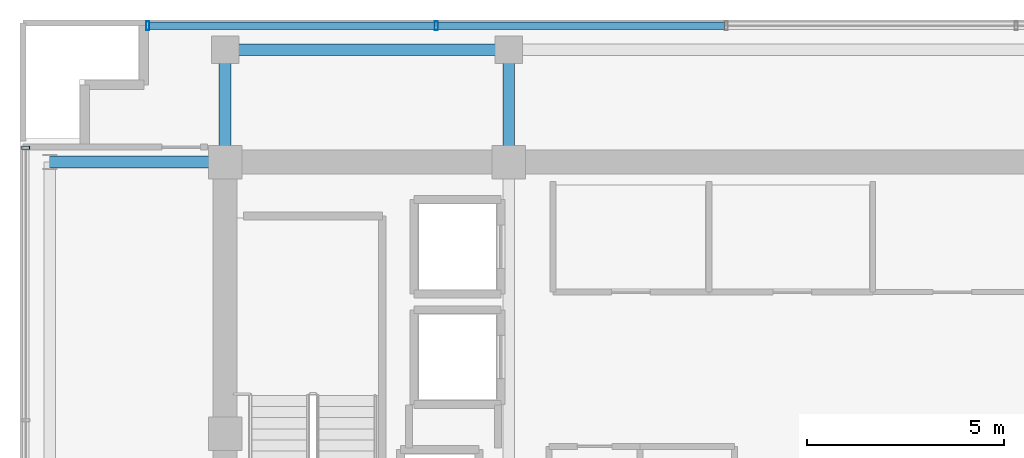
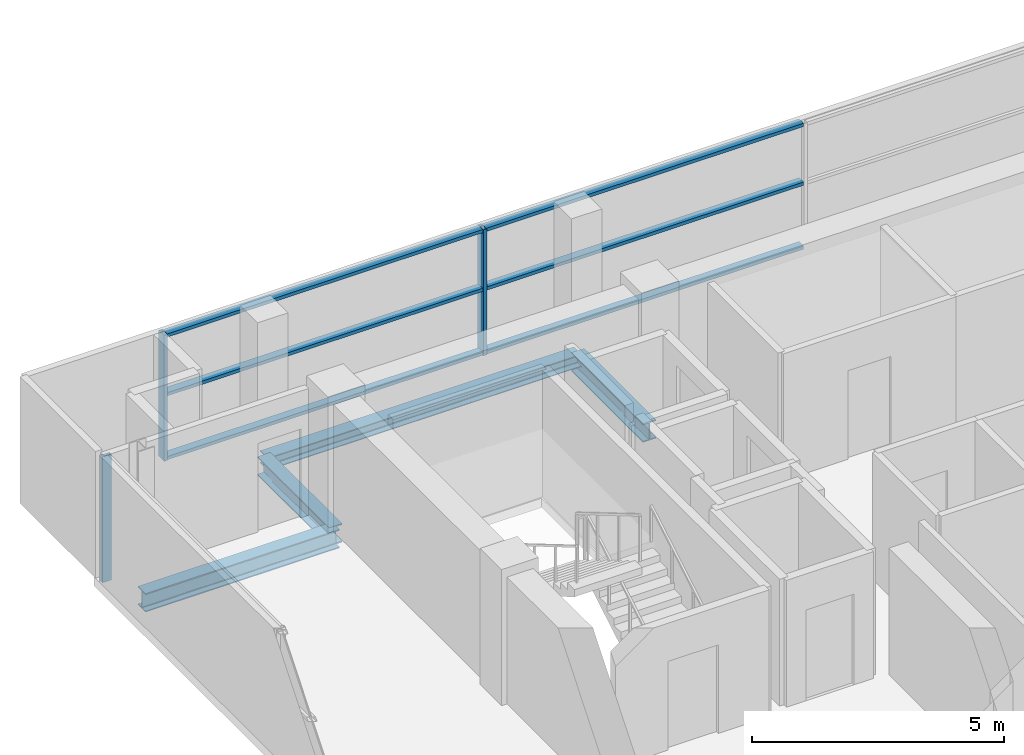
# One storey, part 10 of 22: 9 members, 4 beams, 2 elements without a shape of their own.
"""IFC4 building model written with IfcOpenShell, lengths in metres."""

from ifc_helpers import new_model, si_unit, direction, frame, origin, origin_2d, place, context, subcontext, project, spatial, hollow_rectangle, i_section, extrude, source, transform, mapped, material, layer, layer_set, material_profile, profile_set, type_object, element, aggregate, save


model = new_model("IFC4")

# Units and contexts
model_context = context("Model", 3, precision=1e-05, world=origin(), true_north=direction((0.0, 1.0)))
body_context = subcontext(model_context, "Body", "Model", "MODEL_VIEW")
ifc_project = project(units=[si_unit("LENGTHUNIT", "METRE"), si_unit("AREAUNIT", "SQUARE_METRE"), si_unit("VOLUMEUNIT", "CUBIC_METRE"), si_unit("PLANEANGLEUNIT", "RADIAN"), si_unit("MASSUNIT", "GRAM", prefix="KILO")], contexts=[model_context])

# Site, building, storey
site_placement = place(None, origin())
site = spatial("IfcSite", under=ifc_project, at=site_placement, CompositionType="ELEMENT")
building_placement = place(site_placement, origin())
building = spatial("IfcBuilding", under=site, at=building_placement, Name="Zarnakvel Exchange Tower", CompositionType="ELEMENT")
storey_placement = place(building_placement, frame((0.0, 0.0, 245.199951171875)))
storey = spatial("IfcBuildingStorey", under=building, at=storey_placement, Name="L69", CompositionType="ELEMENT", Elevation=245.199951171875)

# Beams
ifc_material_1 = material(Name="Steel S355", Category="steel")
ifc_material_profile_1 = material_profile(ifc_material_1, i_section(OverallWidth=0.300048828125, OverallDepth=0.449951171875, WebThickness=0.013916015625, FlangeThickness=0.02587890625, FilletRadius=0.027099609375, at=origin_2d()))
ifc_profile_set_1 = profile_set([ifc_material_profile_1], Name="Steel S355")
beam_type_1 = type_object("IfcBeamType", Name="G-07", PredefinedType="BEAM", material=ifc_profile_set_1)
beam_1_placement = place(storey_placement, frame((-18.85009765625, 13.5, -0.449951171875), z_axis=(1.0, 0.0, 0.0), x_axis=(0.0, 1.0, 0.0)))
element("IfcBeam", 1, at=beam_1_placement, inside=storey, type_object=beam_type_1, Name="L69 Tower E-W Frame Beam", PredefinedType="BEAM", context=body_context, shape_type="SweptSolid", body=[
    extrude(i_section(OverallWidth=0.300048828125, OverallDepth=0.449951171875, WebThickness=0.013916015625, FlangeThickness=0.02587890625, FilletRadius=0.027099609375, at=origin_2d()), origin(), (0.0, 0.0, 1.0), 4.4501953125),
])
for number, where, z_axis, x_axis, name in (
    (2, (-14.39990234375, 13.5, -0.449951171875), (0.0, 1.0, 0.0), (-1.0, 0.0, 0.0), "L69 Tower N-S Frame Beam"),
    (3, (-7.199951171875, 13.5, -0.449951171875), (0.0, 1.0, 0.0), (-1.0, 0.0, 0.0), "L69 Tower N-S Frame Beam"),
):
    element("IfcBeam", number, at=place(storey_placement, frame(where, z_axis=z_axis, x_axis=x_axis)), inside=storey, type_object=beam_type_1, Name=name, PredefinedType="BEAM", context=body_context, shape_type="SweptSolid", body=[
        extrude(i_section(OverallWidth=0.300048828125, OverallDepth=0.449951171875, WebThickness=0.013916015625, FlangeThickness=0.02587890625, FilletRadius=0.027099609375, at=origin_2d()), origin(), (0.0, 0.0, 1.0), 2.85009765625),
    ])
ifc_material_profile_2 = material_profile(ifc_material_1, i_section(OverallWidth=0.300048828125, OverallDepth=0.300048828125, WebThickness=0.010986328125, FlangeThickness=0.01904296875, FilletRadius=0.027099609375, at=origin_2d()))
ifc_profile_set_2 = profile_set([ifc_material_profile_2], Name="Steel S355")
beam_type_2 = type_object("IfcBeamType", Name="SP-03", PredefinedType="SPANDREL", material=ifc_profile_set_2)
beam_2_placement = place(storey_placement, frame((-14.39990234375, 16.35009765625, -0.375), z_axis=(1.0, 0.0, 0.0), x_axis=(0.0, 1.0, 0.0)))
element("IfcBeam", 4, at=beam_2_placement, inside=storey, type_object=beam_type_2, Name="L69 Tower E-W Frame Beam", PredefinedType="SPANDREL", context=body_context, shape_type="SweptSolid", body=[
    extrude(i_section(OverallWidth=0.300048828125, OverallDepth=0.300048828125, WebThickness=0.010986328125, FlangeThickness=0.01904296875, FilletRadius=0.027099609375, at=origin_2d()), origin(), (0.0, 0.0, 1.0), 7.199951171875),
])

# Curtain wall, member
ifc_material_2 = material(Name="Architectural Bronze Anodised Aluminium", Category="aluminium")
ifc_layer_1 = layer(ifc_material_2, 0.199951171875)
ifc_layer_set_1 = layer_set([ifc_layer_1], Name="Architectural Bronze Anodised Aluminium")
curtain_wall_type_1 = type_object("IfcCurtainWallType", Name="CW-04", PredefinedType="NOTDEFINED", material=ifc_layer_set_1)
curtain_wall_1_placement = place(storey_placement, origin())
curtain_wall_1 = element("IfcCurtainWall", 5, at=curtain_wall_1_placement, inside=storey, type_object=curtain_wall_type_1, Name="L69 Curtain Wall CW-L69-W1 (CW-04)", PredefinedType="NOTDEFINED")
ifc_material_profile_3 = material_profile(ifc_material_2, hollow_rectangle(XDim=0.199951171875, YDim=0.074951171875, WallThickness=0.0048828125, at=origin_2d()))
ifc_profile_set_3 = profile_set([ifc_material_profile_3], Name="Architectural Bronze Anodised Aluminium")
member_type_1 = type_object("IfcMemberType", Name="CWM-04", PredefinedType="MULLION", material=ifc_profile_set_3)
shared_shape_1 = source(origin(), body_context, "Body", "SweptSolid", [
    extrude(hollow_rectangle(XDim=0.199951171875, YDim=0.074951171875, WallThickness=0.0048828125, at=origin_2d()), origin(), (0.0, 0.0, 1.0), 3.054931640625),
])
member_1_placement = place(storey_placement, frame((-19.4599609375, 13.862548828125, 0.0), z_axis=(0.0, 0.0, 1.0), x_axis=(-1.0, 0.0, 0.0)))
member_1 = element("IfcMember", 6, at=member_1_placement, type_object=member_type_1, Name="CW-04 mullion 5", PredefinedType="MULLION", context=body_context, shape_type="MappedRepresentation", body=[
    mapped(shared_shape_1, transform((0.0, 0.0, 0.0), x_axis=(1.0, 0.0, 0.0), y_axis=(0.0, 1.0, 0.0), z_axis=(0.0, 0.0, 1.0), scale=1.0)),
])
aggregate(curtain_wall_1, [member_1])

# Curtain wall, members
ifc_layer_2 = layer(ifc_material_2, 0.219970703125)
ifc_layer_set_2 = layer_set([ifc_layer_2], Name="Architectural Bronze Anodised Aluminium")
curtain_wall_type_2 = type_object("IfcCurtainWallType", Name="CW-03", PredefinedType="NOTDEFINED", material=ifc_layer_set_2)
curtain_wall_2_placement = place(storey_placement, origin())
curtain_wall_2 = element("IfcCurtainWall", 7, at=curtain_wall_2_placement, inside=storey, type_object=curtain_wall_type_2, Name="L69 Curtain Wall CW-L69-N1 (CW-03)", PredefinedType="NOTDEFINED")
ifc_material_profile_4 = material_profile(ifc_material_2, hollow_rectangle(XDim=0.219970703125, YDim=0.080078125, WallThickness=0.0048828125, at=origin_2d()))
ifc_profile_set_4 = profile_set([ifc_material_profile_4], Name="Architectural Bronze Anodised Aluminium")
member_type_2 = type_object("IfcMemberType", Name="CWM-03", PredefinedType="MULLION", material=ifc_profile_set_4)
shared_shape_2 = source(origin(), body_context, "Body", "SweptSolid", [
    extrude(hollow_rectangle(XDim=0.219970703125, YDim=0.080078125, WallThickness=0.0048828125, at=origin_2d()), origin(), (0.0, 0.0, 1.0), 3.054931640625),
])
member_2_placement = place(storey_placement, frame((-16.360107421875, 16.9599609375, 0.0), z_axis=(0.0, 0.0, 1.0), x_axis=(0.0, 1.0, 0.0)))
member_2 = element("IfcMember", 8, at=member_2_placement, type_object=member_type_2, Name="CW-03 mullion 1", PredefinedType="MULLION", context=body_context, shape_type="MappedRepresentation", body=[
    mapped(shared_shape_2, transform((0.0, 0.0, 0.0), x_axis=(1.0, 0.0, 0.0), y_axis=(0.0, 1.0, 0.0), z_axis=(0.0, 0.0, 1.0), scale=1.0)),
])
member_3_placement = place(storey_placement, frame((-9.0400390625, 16.9599609375, 0.0), z_axis=(0.0, 0.0, 1.0), x_axis=(0.0, 1.0, 0.0)))
member_3 = element("IfcMember", 9, at=member_3_placement, type_object=member_type_2, Name="CW-03 mullion 2", PredefinedType="MULLION", context=body_context, shape_type="MappedRepresentation", body=[
    mapped(shared_shape_2, transform((0.0, 0.0, 0.0), x_axis=(1.0, 0.0, 0.0), y_axis=(0.0, 1.0, 0.0), z_axis=(0.0, 0.0, 1.0), scale=1.0)),
])
ifc_material_profile_5 = material_profile(ifc_material_2, hollow_rectangle(XDim=0.179931640625, YDim=0.080078125, WallThickness=0.00390625, at=origin_2d()))
ifc_profile_set_5 = profile_set([ifc_material_profile_5], Name="Architectural Bronze Anodised Aluminium")
member_type_3 = type_object("IfcMemberType", Name="CWT-03", PredefinedType="USERDEFINED", material=ifc_profile_set_5)
shared_shape_3 = source(origin(), body_context, "Body", "SweptSolid", [
    extrude(hollow_rectangle(XDim=0.179931640625, YDim=0.080078125, WallThickness=0.00390625, at=origin_2d()), origin(), (0.0, 0.0, 1.0), 7.239990234375),
])
member_4_placement = place(storey_placement, frame((-16.320068359375, 16.9599609375, 0.0400390625), z_axis=(1.0, 0.0, 0.0), x_axis=(0.0, 1.0, 0.0)))
member_4 = element("IfcMember", 10, at=member_4_placement, type_object=member_type_3, Name="CW-03 transom 1.1", ObjectType="TRANSOM", PredefinedType="USERDEFINED", context=body_context, shape_type="MappedRepresentation", body=[
    mapped(shared_shape_3, transform((0.0, 0.0, 0.0), x_axis=(1.0, 0.0, 0.0), y_axis=(0.0, 1.0, 0.0), z_axis=(0.0, 0.0, 1.0), scale=1.0)),
])
member_5_placement = place(storey_placement, frame((-16.320068359375, 16.9599609375, 1.588623046875), z_axis=(1.0, 0.0, 0.0), x_axis=(0.0, 1.0, 0.0)))
member_5 = element("IfcMember", 11, at=member_5_placement, type_object=member_type_3, Name="CW-03 transom 1.2", ObjectType="TRANSOM", PredefinedType="USERDEFINED", context=body_context, shape_type="MappedRepresentation", body=[
    mapped(shared_shape_3, transform((0.0, 0.0, 0.0), x_axis=(1.0, 0.0, 0.0), y_axis=(0.0, 1.0, 0.0), z_axis=(0.0, 0.0, 1.0), scale=1.0)),
])
member_6_placement = place(storey_placement, frame((-16.320068359375, 16.9599609375, 3.01513671875), z_axis=(1.0, 0.0, 0.0), x_axis=(0.0, 1.0, 0.0)))
member_6 = element("IfcMember", 12, at=member_6_placement, type_object=member_type_3, Name="CW-03 transom 1.3", ObjectType="TRANSOM", PredefinedType="USERDEFINED", context=body_context, shape_type="MappedRepresentation", body=[
    mapped(shared_shape_3, transform((0.0, 0.0, 0.0), x_axis=(1.0, 0.0, 0.0), y_axis=(0.0, 1.0, 0.0), z_axis=(0.0, 0.0, 1.0), scale=1.0)),
])
shared_shape_4 = source(origin(), body_context, "Body", "SweptSolid", [
    extrude(hollow_rectangle(XDim=0.179931640625, YDim=0.080078125, WallThickness=0.00390625, at=origin_2d()), origin(), (0.0, 0.0, 1.0), 7.280029296875),
])
member_7_placement = place(storey_placement, frame((-9.0, 16.9599609375, 0.0400390625), z_axis=(1.0, 0.0, 0.0), x_axis=(0.0, 1.0, 0.0)))
member_7 = element("IfcMember", 13, at=member_7_placement, type_object=member_type_3, Name="CW-03 transom 2.1", ObjectType="TRANSOM", PredefinedType="USERDEFINED", context=body_context, shape_type="MappedRepresentation", body=[
    mapped(shared_shape_4, transform((0.0, 0.0, 0.0), x_axis=(1.0, 0.0, 0.0), y_axis=(0.0, 1.0, 0.0), z_axis=(0.0, 0.0, 1.0), scale=1.0)),
])
member_8_placement = place(storey_placement, frame((-9.0, 16.9599609375, 1.588623046875), z_axis=(1.0, 0.0, 0.0), x_axis=(0.0, 1.0, 0.0)))
member_8 = element("IfcMember", 14, at=member_8_placement, type_object=member_type_3, Name="CW-03 transom 2.2", ObjectType="TRANSOM", PredefinedType="USERDEFINED", context=body_context, shape_type="MappedRepresentation", body=[
    mapped(shared_shape_4, transform((0.0, 0.0, 0.0), x_axis=(1.0, 0.0, 0.0), y_axis=(0.0, 1.0, 0.0), z_axis=(0.0, 0.0, 1.0), scale=1.0)),
])
member_9_placement = place(storey_placement, frame((-9.0, 16.9599609375, 3.01513671875), z_axis=(1.0, 0.0, 0.0), x_axis=(0.0, 1.0, 0.0)))
member_9 = element("IfcMember", 15, at=member_9_placement, type_object=member_type_3, Name="CW-03 transom 2.3", ObjectType="TRANSOM", PredefinedType="USERDEFINED", context=body_context, shape_type="MappedRepresentation", body=[
    mapped(shared_shape_4, transform((0.0, 0.0, 0.0), x_axis=(1.0, 0.0, 0.0), y_axis=(0.0, 1.0, 0.0), z_axis=(0.0, 0.0, 1.0), scale=1.0)),
])
aggregate(curtain_wall_2, [member_2, member_3, member_4, member_5, member_6, member_7, member_8, member_9])

save(model, "model.ifc")
